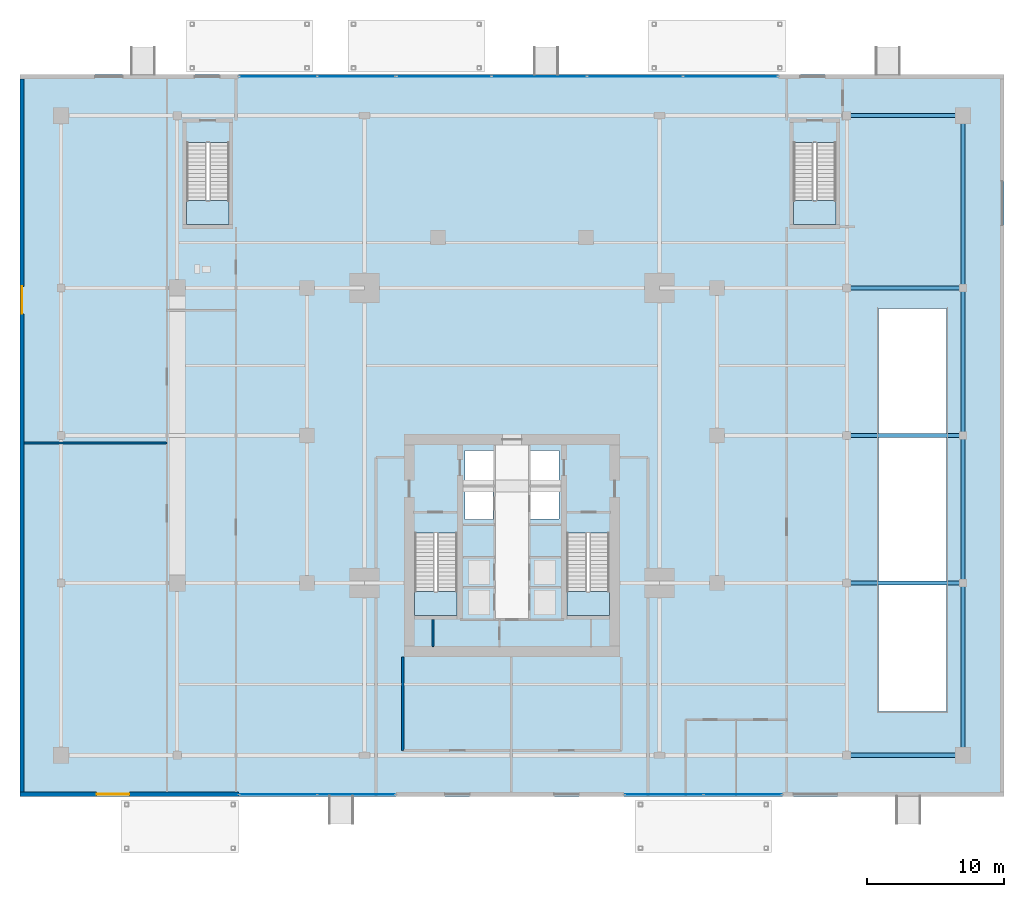
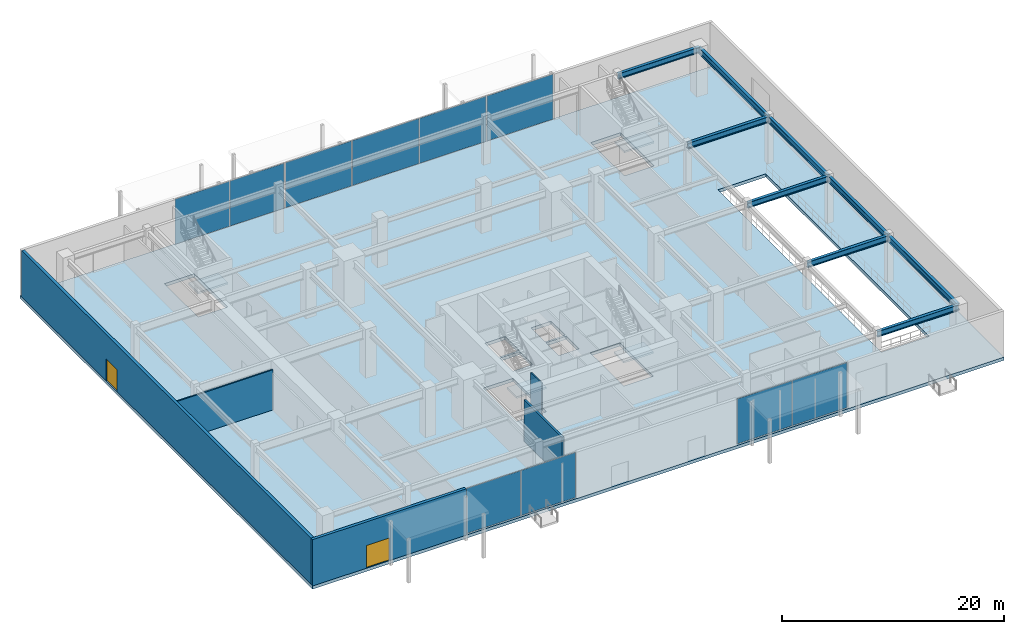
# One storey, part 18 of 28: 10 plates, 9 beams, 5 slabs, 5 walls, 2 doors, 2 openings, 8 elements without a shape of their own.
"""IFC4 building model written with IfcOpenShell, lengths in metres."""

from ifc_helpers import new_model, si_unit, direction, frame, frame_2d, origin, origin_2d, place, context, subcontext, project, spatial, polyline, rectangle, i_section, outline, extrude, source, transform, mapped, material, layer, layer_set, material_profile, profile_set, type_object, type_shapes, element, fill, aggregate, save


model = new_model("IFC4")

# Units and contexts
model_context = context("Model", 3, precision=1e-05, world=origin(), true_north=direction((0.0, 1.0)))
body_context = subcontext(model_context, "Body", "Model", "MODEL_VIEW")
ifc_project = project(units=[si_unit("LENGTHUNIT", "METRE"), si_unit("AREAUNIT", "SQUARE_METRE"), si_unit("VOLUMEUNIT", "CUBIC_METRE"), si_unit("PLANEANGLEUNIT", "RADIAN"), si_unit("MASSUNIT", "GRAM", prefix="KILO")], contexts=[model_context])

# Site, building, storey
site_placement = place(None, origin())
site = spatial("IfcSite", under=ifc_project, at=site_placement, CompositionType="ELEMENT")
building_placement = place(site_placement, origin())
building = spatial("IfcBuilding", under=site, at=building_placement, Name="Krantzveldt Concourse Tower", CompositionType="ELEMENT")
storey_placement = place(building_placement, origin())
storey = spatial("IfcBuildingStorey", under=building, at=storey_placement, Name="L00", CompositionType="ELEMENT", Elevation=0.0)

# Beams
ifc_material_1 = material(Name="Steel S355JR", Category="steel")
ifc_material_profile_1 = material_profile(ifc_material_1, i_section(OverallWidth=0.300048828125, OverallDepth=0.68994140625, WebThickness=0.014404296875, FlangeThickness=0.027099609375, FilletRadius=0.027099609375, at=origin_2d()), Name="Steel S355JR", Category="steel")
ifc_profile_set_1 = profile_set([ifc_material_profile_1], Name="Steel S355JR - HEA 700")
beam_type_1 = type_object("IfcBeamType", Name="BM-B-HEA700", PredefinedType="BEAM", material=ifc_profile_set_1)
shared_shape_1 = source(origin(), body_context, "Body", "SweptSolid", [
    extrude(i_section(OverallWidth=0.300048828125, OverallDepth=0.68994140625, WebThickness=0.014404296875, FlangeThickness=0.027099609375, FilletRadius=0.027099609375, at=origin_2d()), origin(), (0.0, 0.0, 1.0), 10.800048828125),
])
for number, where, z_axis, x_axis, name in (
    (1, (69.0, 15.89990234375, 4.7548828125), (0.0, 1.0, 0.0), (-1.0, 0.0, 0.0), "L00 Podium Primary Girder BG-OE2"),
    (2, (69.0, 26.699951171875, 4.7548828125), (0.0, 1.0, 0.0), (-1.0, 0.0, 0.0), "L00 Podium Primary Girder BG-OE3"),
):
    element("IfcBeam", number, at=place(storey_placement, frame(where, z_axis=z_axis, x_axis=x_axis)), inside=storey, type_object=beam_type_1, Name=name, PredefinedType="BEAM", context=body_context, shape_type="MappedRepresentation", body=[
        mapped(shared_shape_1, transform((0.0, 0.0, 0.0), x_axis=(1.0, 0.0, 0.0), y_axis=(0.0, 1.0, 0.0), z_axis=(0.0, 0.0, 1.0), scale=1.0)),
    ])
shared_shape_2 = source(origin(), body_context, "Body", "SweptSolid", [
    extrude(i_section(OverallWidth=0.300048828125, OverallDepth=0.68994140625, WebThickness=0.014404296875, FlangeThickness=0.027099609375, FilletRadius=0.027099609375, at=origin_2d()), origin(), (0.0, 0.0, 1.0), 12.60009765625),
])
beam_1_placement = place(storey_placement, frame((69.0, 37.5, 4.7548828125), z_axis=(0.0, 1.0, 0.0), x_axis=(-1.0, 0.0, 0.0)))
element("IfcBeam", 3, at=beam_1_placement, inside=storey, type_object=beam_type_1, Name="L00 Podium Primary Girder BG-OE4", PredefinedType="BEAM", context=body_context, shape_type="MappedRepresentation", body=[
    mapped(shared_shape_2, transform((0.0, 0.0, 0.0), x_axis=(1.0, 0.0, 0.0), y_axis=(0.0, 1.0, 0.0), z_axis=(0.0, 0.0, 1.0), scale=1.0)),
])
shared_shape_3 = source(origin(), body_context, "Body", "SweptSolid", [
    extrude(i_section(OverallWidth=0.300048828125, OverallDepth=0.68994140625, WebThickness=0.014404296875, FlangeThickness=0.027099609375, FilletRadius=0.027099609375, at=origin_2d()), origin(), (0.0, 0.0, 1.0), 12.599853515625),
])
type_shapes(beam_type_1, [shared_shape_1, shared_shape_2, shared_shape_3])
beam_2_placement = place(storey_placement, frame((69.0, 3.300048828125, 4.7548828125), z_axis=(0.0, 1.0, 0.0), x_axis=(-1.0, 0.0, 0.0)))
element("IfcBeam", 4, at=beam_2_placement, inside=storey, type_object=beam_type_1, Name="L00 Podium Primary Girder BG-OE1", PredefinedType="BEAM", context=body_context, shape_type="MappedRepresentation", body=[
    mapped(shared_shape_3, transform((0.0, 0.0, 0.0), x_axis=(1.0, 0.0, 0.0), y_axis=(0.0, 1.0, 0.0), z_axis=(0.0, 0.0, 1.0), scale=1.0)),
])
ifc_material_profile_2 = material_profile(ifc_material_1, i_section(OverallWidth=0.300048828125, OverallDepth=0.639892578125, WebThickness=0.013427734375, FlangeThickness=0.02587890625, FilletRadius=0.027099609375, at=origin_2d()), Name="Steel S355JR", Category="steel")
ifc_profile_set_2 = profile_set([ifc_material_profile_2], Name="Steel S355JR - HEA 650")
beam_type_2 = type_object("IfcBeamType", Name="BM-B-HEA650", PredefinedType="BEAM", material=ifc_profile_set_2)
shared_shape_4 = source(origin(), body_context, "Body", "SweptSolid", [
    extrude(i_section(OverallWidth=0.300048828125, OverallDepth=0.639892578125, WebThickness=0.013427734375, FlangeThickness=0.02587890625, FilletRadius=0.027099609375, at=origin_2d()), origin(), (0.0, 0.0, 1.0), 8.5),
])
type_shapes(beam_type_2, [shared_shape_4])
for number, where, z_axis, x_axis, name in (
    (5, (60.5, 3.300048828125, 4.780029296875), (1.0, 0.0, 0.0), (0.0, 1.0, 0.0), "L00 Podium Primary Girder BG-OES"),
    (6, (60.5, 50.10009765625, 4.780029296875), (1.0, 0.0, 0.0), (0.0, 1.0, 0.0), "L00 Podium Primary Girder BG-OEN"),
    (7, (60.5, 15.89990234375, 4.780029296875), (1.0, 0.0, 0.0), (0.0, 1.0, 0.0), "L00 Podium Primary Girder BG-EE1"),
    (8, (60.5, 26.699951171875, 4.780029296875), (1.0, 0.0, 0.0), (0.0, 1.0, 0.0), "L00 Podium Primary Girder BG-EE2"),
    (9, (60.5, 37.5, 4.780029296875), (1.0, 0.0, 0.0), (0.0, 1.0, 0.0), "L00 Podium Primary Girder BG-EE3"),
):
    element("IfcBeam", number, at=place(storey_placement, frame(where, z_axis=z_axis, x_axis=x_axis)), inside=storey, type_object=beam_type_2, Name=name, PredefinedType="BEAM", context=body_context, shape_type="MappedRepresentation", body=[
        mapped(shared_shape_4, transform((0.0, 0.0, 0.0), x_axis=(1.0, 0.0, 0.0), y_axis=(0.0, 1.0, 0.0), z_axis=(0.0, 0.0, 1.0), scale=1.0)),
    ])

# Stair, slab
ifc_material_2 = material(Name="Precast concrete C40/50", Category="concrete")
stair_type = type_object("IfcStairType", Name="STR-CORE-DOGLEG", PredefinedType="HALF_TURN_STAIR", material=ifc_material_2)
stair_1_placement = place(storey_placement, origin())
stair_1 = element("IfcStair", 10, at=stair_1_placement, inside=storey, type_object=stair_type, Name="L00 Protected Escape Stair ST-1", PredefinedType="HALF_TURN_STAIR")
ifc_layer_1 = layer(ifc_material_2, 0.199951171875, Name="Precast concrete C40/50", Category="concrete")
ifc_layer_set_1 = layer_set([ifc_layer_1], Name="Precast concrete C40/50 (SL-LANDING-200)")
slab_type_1 = type_object("IfcSlabType", Name="SL-LANDING-200", PredefinedType="LANDING", material=ifc_layer_set_1)
slab_1_placement = place(storey_placement, frame((0.0, 0.0, 2.5)))
slab_1 = element("IfcSlab", 11, at=slab_1_placement, type_object=slab_type_1, Name="ST-1 landing 1", PredefinedType="LANDING", context=body_context, shape_type="SweptSolid", body=[
    extrude(outline(polyline([(28.8798828125, 15.27490234375), (28.8798828125, 13.52001953125), (31.97998046875, 13.52001953125), (31.97998046875, 15.27490234375), (28.8798828125, 15.27490234375)])), origin(), (0.0, 0.0, 1.0), 0.199951171875),
])
aggregate(stair_1, [slab_1])

stair_2_placement = place(storey_placement, origin())
stair_2 = element("IfcStair", 12, at=stair_2_placement, inside=storey, type_object=stair_type, Name="L00 Protected Escape Stair ST-2", PredefinedType="HALF_TURN_STAIR")
slab_2_placement = place(storey_placement, frame((0.0, 0.0, 2.5)))
slab_2 = element("IfcSlab", 13, at=slab_2_placement, type_object=slab_type_1, Name="ST-2 landing 1", PredefinedType="LANDING", context=body_context, shape_type="SweptSolid", body=[
    extrude(outline(polyline([(40.02001953125, 15.27490234375), (40.02001953125, 13.52001953125), (43.1201171875, 13.52001953125), (43.1201171875, 15.27490234375), (40.02001953125, 15.27490234375)])), origin(), (0.0, 0.0, 1.0), 0.199951171875),
])
aggregate(stair_2, [slab_2])

stair_3_placement = place(storey_placement, origin())
stair_3 = element("IfcStair", 14, at=stair_3_placement, inside=storey, type_object=stair_type, Name="L00 Podium Escape Stair ST-3", PredefinedType="HALF_TURN_STAIR")
slab_3_placement = place(storey_placement, frame((0.0, 0.0, 2.5)))
slab_3 = element("IfcSlab", 15, at=slab_3_placement, type_object=slab_type_1, Name="ST-3 landing 1", PredefinedType="LANDING", context=body_context, shape_type="SweptSolid", body=[
    extrude(outline(polyline([(12.199951171875, 43.875), (12.199951171875, 42.1201171875), (15.300048828125, 42.1201171875), (15.300048828125, 43.875), (12.199951171875, 43.875)])), origin(), (0.0, 0.0, 1.0), 0.199951171875),
])
aggregate(stair_3, [slab_3])

stair_4_placement = place(storey_placement, origin())
stair_4 = element("IfcStair", 16, at=stair_4_placement, inside=storey, type_object=stair_type, Name="L00 Podium Escape Stair ST-4", PredefinedType="HALF_TURN_STAIR")
slab_4_placement = place(storey_placement, frame((0.0, 0.0, 2.5)))
slab_4 = element("IfcSlab", 17, at=slab_4_placement, type_object=slab_type_1, Name="ST-4 landing 1", PredefinedType="LANDING", context=body_context, shape_type="SweptSolid", body=[
    extrude(outline(polyline([(56.60009765625, 43.875), (56.60009765625, 42.1201171875), (59.699951171875, 42.1201171875), (59.699951171875, 43.875), (56.60009765625, 43.875)])), origin(), (0.0, 0.0, 1.0), 0.199951171875),
])
aggregate(stair_4, [slab_4])

# Slab
ifc_material_3 = material(Name="Concrete C50/60", Category="concrete")
ifc_layer_2 = layer(ifc_material_3, 0.35009765625, Name="Concrete C50/60", Category="concrete")
ifc_layer_set_2 = layer_set([ifc_layer_2], Name="Concrete C50/60 (SL-SL-POD350)")
slab_type_2 = type_object("IfcSlabType", Name="SL-SL-POD350", PredefinedType="FLOOR", material=ifc_layer_set_2)
slab_5_placement = place(storey_placement, frame((0.0, 0.0, -0.35009765625)))
element("IfcSlab", 18, at=slab_5_placement, inside=storey, type_object=slab_type_2, Name="SL-L00-MAIN", PredefinedType="FLOOR", context=body_context, shape_type="SweptSolid", body=[
    extrude(outline(polyline([(0.0, 0.300048828125), (72.0, 0.300048828125), (72.0, 53.10009765625), (0.0, 53.10009765625), (0.0, 0.300048828125)]), holes=[polyline([(28.8798828125, 19.547607421875), (28.8798828125, 13.52001953125), (31.97998046875, 13.52001953125), (31.97998046875, 19.547607421875), (28.8798828125, 19.547607421875)]), polyline([(40.02001953125, 19.547607421875), (40.02001953125, 13.52001953125), (43.1201171875, 13.52001953125), (43.1201171875, 19.547607421875), (40.02001953125, 19.547607421875)]), polyline([(12.199951171875, 48.1474609375), (12.199951171875, 42.1201171875), (15.300048828125, 42.1201171875), (15.300048828125, 48.1474609375), (12.199951171875, 48.1474609375)]), polyline([(56.60009765625, 48.1474609375), (56.60009765625, 42.1201171875), (59.699951171875, 42.1201171875), (59.699951171875, 48.1474609375), (56.60009765625, 48.1474609375)]), polyline([(32.550048828125, 23.10009765625), (34.64990234375, 23.10009765625), (34.64990234375, 25.60009765625), (32.550048828125, 25.60009765625), (32.550048828125, 23.10009765625)]), polyline([(37.35009765625, 23.10009765625), (39.449951171875, 23.10009765625), (39.449951171875, 25.60009765625), (37.35009765625, 25.60009765625), (37.35009765625, 23.10009765625)]), polyline([(37.35009765625, 20.60009765625), (39.449951171875, 20.60009765625), (39.449951171875, 22.89990234375), (37.35009765625, 22.89990234375), (37.35009765625, 20.60009765625)]), polyline([(32.550048828125, 20.550048828125), (34.6201171875, 20.550048828125), (34.6201171875, 22.89990234375), (32.550048828125, 22.89990234375), (32.550048828125, 20.550048828125)]), polyline([(62.800048828125, 6.5), (67.800048828125, 6.5), (67.800048828125, 36.0), (62.800048828125, 36.0), (62.800048828125, 6.5)])]), origin(), (0.0, 0.0, 1.0), 0.35009765625),
])

# Curtain wall, plates
ifc_material_4 = material(Name="Anodised aluminium 6063-T6", Category="aluminium")
curtain_wall_type = type_object("IfcCurtainWallType", Name="CW1", PredefinedType="USERDEFINED", material=ifc_material_4)
curtain_wall_1_placement = place(storey_placement, origin())
curtain_wall_1 = element("IfcCurtainWall", 19, at=curtain_wall_1_placement, inside=storey, type_object=curtain_wall_type, Name="CW-L00-NC1", ObjectType="UNITISED CURTAIN WALL", PredefinedType="USERDEFINED")
ifc_material_5 = material(Name="Bronze-tinted laminated low-E IGU glass", Category="glass")
ifc_layer_3 = layer(ifc_material_5, 0.031982421875, Name="Bronze-tinted laminated low-E IGU glass", Category="glass")
ifc_layer_set_3 = layer_set([ifc_layer_3], Name="Bronze-tinted laminated low-E IGU glass (CW-GLZ-32)")
plate_type = type_object("IfcPlateType", Name="CW-GLZ-32", PredefinedType="CURTAIN_PANEL", material=ifc_layer_set_3)
shared_shape_5 = source(origin(), body_context, "Body", "SweptSolid", [
    extrude(rectangle(XDim=5.64501953125, YDim=0.031982421875, at=origin_2d()), origin(), (0.0, 0.0, 1.0), 4.9599609375),
])
plate_1_placement = place(storey_placement, frame((24.607421875, 52.969970703125, 0.070068359375), z_axis=(0.0, 0.0, 1.0), x_axis=(-1.0, 0.0, 0.0)))
plate_1 = element("IfcPlate", 20, at=plate_1_placement, type_object=plate_type, Name="CW-POD panel 1.1", PredefinedType="CURTAIN_PANEL", context=body_context, shape_type="MappedRepresentation", body=[
    mapped(shared_shape_5, transform((0.0, 0.0, 0.0), x_axis=(1.0, 0.0, 0.0), y_axis=(0.0, 1.0, 0.0), z_axis=(0.0, 0.0, 1.0), scale=1.0)),
])
plate_2_placement = place(storey_placement, frame((18.892578125, 52.969970703125, 0.070068359375), z_axis=(0.0, 0.0, 1.0), x_axis=(-1.0, 0.0, 0.0)))
plate_2 = element("IfcPlate", 21, at=plate_2_placement, type_object=plate_type, Name="CW-POD panel 2.1", PredefinedType="CURTAIN_PANEL", context=body_context, shape_type="MappedRepresentation", body=[
    mapped(shared_shape_5, transform((0.0, 0.0, 0.0), x_axis=(1.0, 0.0, 0.0), y_axis=(0.0, 1.0, 0.0), z_axis=(0.0, 0.0, 1.0), scale=1.0)),
])
aggregate(curtain_wall_1, [plate_1, plate_2])

curtain_wall_2_placement = place(storey_placement, origin())
curtain_wall_2 = element("IfcCurtainWall", 22, at=curtain_wall_2_placement, inside=storey, type_object=curtain_wall_type, Name="CW-L00-SC1", ObjectType="UNITISED CURTAIN WALL", PredefinedType="USERDEFINED")
plate_3_placement = place(storey_placement, frame((18.892578125, 0.429931640625, 0.070068359375), z_axis=(0.0, 0.0, 1.0), x_axis=(1.0, 0.0, 0.0)))
plate_3 = element("IfcPlate", 23, at=plate_3_placement, type_object=plate_type, Name="CW-POD panel 1.1", PredefinedType="CURTAIN_PANEL", context=body_context, shape_type="MappedRepresentation", body=[
    mapped(shared_shape_5, transform((0.0, 0.0, 0.0), x_axis=(1.0, 0.0, 0.0), y_axis=(0.0, 1.0, 0.0), z_axis=(0.0, 0.0, 1.0), scale=1.0)),
])
plate_4_placement = place(storey_placement, frame((24.607421875, 0.429931640625, 0.070068359375), z_axis=(0.0, 0.0, 1.0), x_axis=(1.0, 0.0, 0.0)))
plate_4 = element("IfcPlate", 24, at=plate_4_placement, type_object=plate_type, Name="CW-POD panel 2.1", PredefinedType="CURTAIN_PANEL", context=body_context, shape_type="MappedRepresentation", body=[
    mapped(shared_shape_5, transform((0.0, 0.0, 0.0), x_axis=(1.0, 0.0, 0.0), y_axis=(0.0, 1.0, 0.0), z_axis=(0.0, 0.0, 1.0), scale=1.0)),
])
aggregate(curtain_wall_2, [plate_3, plate_4])

curtain_wall_3_placement = place(storey_placement, origin())
curtain_wall_3 = element("IfcCurtainWall", 25, at=curtain_wall_3_placement, inside=storey, type_object=curtain_wall_type, Name="CW-L00-NC2", ObjectType="UNITISED CURTAIN WALL", PredefinedType="USERDEFINED")
shared_shape_6 = source(origin(), body_context, "Body", "SweptSolid", [
    extrude(rectangle(XDim=6.89501953125, YDim=0.031982421875, at=origin_2d()), origin(), (0.0, 0.0, 1.0), 4.9599609375),
])
plate_5_placement = place(storey_placement, frame((51.982421875, 52.969970703125, 0.070068359375), z_axis=(0.0, 0.0, 1.0), x_axis=(-1.0, 0.0, 0.0)))
plate_5 = element("IfcPlate", 26, at=plate_5_placement, type_object=plate_type, Name="CW-POD panel 1.1", PredefinedType="CURTAIN_PANEL", context=body_context, shape_type="MappedRepresentation", body=[
    mapped(shared_shape_6, transform((0.0, 0.0, 0.0), x_axis=(1.0, 0.0, 0.0), y_axis=(0.0, 1.0, 0.0), z_axis=(0.0, 0.0, 1.0), scale=1.0)),
])
plate_6_placement = place(storey_placement, frame((31.017578125, 52.969970703125, 0.070068359375), z_axis=(0.0, 0.0, 1.0), x_axis=(-1.0, 0.0, 0.0)))
plate_6 = element("IfcPlate", 27, at=plate_6_placement, type_object=plate_type, Name="CW-POD panel 4.1", PredefinedType="CURTAIN_PANEL", context=body_context, shape_type="MappedRepresentation", body=[
    mapped(shared_shape_6, transform((0.0, 0.0, 0.0), x_axis=(1.0, 0.0, 0.0), y_axis=(0.0, 1.0, 0.0), z_axis=(0.0, 0.0, 1.0), scale=1.0)),
])
shared_shape_7 = source(origin(), body_context, "Body", "SweptSolid", [
    extrude(rectangle(XDim=6.929931640625, YDim=0.031982421875, at=origin_2d()), origin(), (0.0, 0.0, 1.0), 4.9599609375),
])
plate_7_placement = place(storey_placement, frame((45.0, 52.969970703125, 0.070068359375), z_axis=(0.0, 0.0, 1.0), x_axis=(-1.0, 0.0, 0.0)))
plate_7 = element("IfcPlate", 28, at=plate_7_placement, type_object=plate_type, Name="CW-POD panel 2.1", PredefinedType="CURTAIN_PANEL", context=body_context, shape_type="MappedRepresentation", body=[
    mapped(shared_shape_7, transform((0.0, 0.0, 0.0), x_axis=(1.0, 0.0, 0.0), y_axis=(0.0, 1.0, 0.0), z_axis=(0.0, 0.0, 1.0), scale=1.0)),
])
plate_8_placement = place(storey_placement, frame((38.0, 52.969970703125, 0.070068359375), z_axis=(0.0, 0.0, 1.0), x_axis=(-1.0, 0.0, 0.0)))
plate_8 = element("IfcPlate", 29, at=plate_8_placement, type_object=plate_type, Name="CW-POD panel 3.1", PredefinedType="CURTAIN_PANEL", context=body_context, shape_type="MappedRepresentation", body=[
    mapped(shared_shape_7, transform((0.0, 0.0, 0.0), x_axis=(1.0, 0.0, 0.0), y_axis=(0.0, 1.0, 0.0), z_axis=(0.0, 0.0, 1.0), scale=1.0)),
])
aggregate(curtain_wall_3, [plate_5, plate_7, plate_8, plate_6])

curtain_wall_4_placement = place(storey_placement, origin())
curtain_wall_4 = element("IfcCurtainWall", 30, at=curtain_wall_4_placement, inside=storey, type_object=curtain_wall_type, Name="CW-L00-SC2", ObjectType="UNITISED CURTAIN WALL", PredefinedType="USERDEFINED")
shared_shape_8 = source(origin(), body_context, "Body", "SweptSolid", [
    extrude(rectangle(XDim=5.695068359375, YDim=0.031982421875, at=origin_2d()), origin(), (0.0, 0.0, 1.0), 4.9599609375),
])
type_shapes(plate_type, [shared_shape_5, shared_shape_6, shared_shape_7, shared_shape_8])
plate_9_placement = place(storey_placement, frame((47.117431640625, 0.429931640625, 0.070068359375), z_axis=(0.0, 0.0, 1.0), x_axis=(1.0, 0.0, 0.0)))
plate_9 = element("IfcPlate", 31, at=plate_9_placement, type_object=plate_type, Name="CW-POD panel 1.1", PredefinedType="CURTAIN_PANEL", context=body_context, shape_type="MappedRepresentation", body=[
    mapped(shared_shape_8, transform((0.0, 0.0, 0.0), x_axis=(1.0, 0.0, 0.0), y_axis=(0.0, 1.0, 0.0), z_axis=(0.0, 0.0, 1.0), scale=1.0)),
])
plate_10_placement = place(storey_placement, frame((52.882568359375, 0.429931640625, 0.070068359375), z_axis=(0.0, 0.0, 1.0), x_axis=(1.0, 0.0, 0.0)))
plate_10 = element("IfcPlate", 32, at=plate_10_placement, type_object=plate_type, Name="CW-POD panel 2.1", PredefinedType="CURTAIN_PANEL", context=body_context, shape_type="MappedRepresentation", body=[
    mapped(shared_shape_8, transform((0.0, 0.0, 0.0), x_axis=(1.0, 0.0, 0.0), y_axis=(0.0, 1.0, 0.0), z_axis=(0.0, 0.0, 1.0), scale=1.0)),
])
aggregate(curtain_wall_4, [plate_9, plate_10])

# Wall, opening, door
ifc_material_6 = material(Name="Concrete C40/50", Category="concrete")
ifc_layer_4 = layer(ifc_material_6, 0.300048828125, Name="Concrete C40/50", Category="concrete")
ifc_layer_set_4 = layer_set([ifc_layer_4], Name="Concrete C40/50 (WL-EXT-GRAN300)")
wall_type_1 = type_object("IfcWallType", Name="WL-EXT-GRAN300", PredefinedType="SOLIDWALL", material=ifc_layer_set_4)
wall_1_placement = place(storey_placement, frame((16.0, 0.449951171875, 0.0), z_axis=(0.0, 0.0, 1.0), x_axis=(-1.0, 0.0, 0.0)))
wall_1 = element("IfcWall", 33, at=wall_1_placement, inside=storey, type_object=wall_type_1, Name="EW-L00-SW", PredefinedType="SOLIDWALL", context=body_context, shape_type="SweptSolid", body=[
    extrude(rectangle(XDim=16.0, YDim=0.300048828125, at=frame_2d((8.0, 0.0))), origin(), (0.0, 0.0, 1.0), 5.10009765625),
])
opening_1_placement = place(wall_1_placement, frame((8.0, 0.0, 0.0)))
opening_1 = element("IfcOpeningElement", 34, at=opening_1_placement, cuts=wall_1, Name="Opening D-REV1", PredefinedType="OPENING", context=body_context, shape_type="SweptSolid", body=[
    extrude(rectangle(XDim=2.39990234375, YDim=2.5, at=frame_2d((1.199951171875, 1.25))), frame((0.0, 0.16015625, 0.0), z_axis=(0.0, -1.0, 0.0), x_axis=(1.0, 0.0, 0.0)), (0.0, 0.0, 1.0), 0.320068359375),
])
door_type_1 = type_object("IfcDoorType", Name="DR-REV-2400", OperationType="REVOLVING", PredefinedType="DOOR", material=ifc_material_4)
door_1_placement = place(opening_1_placement, origin())
door_1 = element("IfcDoor", 35, at=door_1_placement, inside=storey, type_object=door_type_1, Name="DR-L00-EXS2", OperationType="REVOLVING", OverallHeight=2.5, OverallWidth=2.39990234375, PredefinedType="DOOR", context=body_context, shape_type="SweptSolid", body=[
    extrude(rectangle(XDim=2.39990234375, YDim=2.5, at=frame_2d((1.199951171875, 1.25))), frame((0.0, 0.02490234375, 0.0), z_axis=(0.0, -1.0, 0.0), x_axis=(1.0, 0.0, 0.0)), (0.0, 0.0, 1.0), 0.050048828125),
])
fill(opening_1, door_1)

wall_2_placement = place(storey_placement, frame((0.14990234375, 0.60009765625, 0.0), z_axis=(0.0, 0.0, 1.0), x_axis=(0.0, 1.0, 0.0)))
wall_2 = element("IfcWall", 36, at=wall_2_placement, inside=storey, type_object=wall_type_1, Name="EW-L00-W", PredefinedType="SOLIDWALL", context=body_context, shape_type="SweptSolid", body=[
    extrude(rectangle(XDim=52.199951171875, YDim=0.300048828125, at=frame_2d((26.10009765625, 0.0))), origin(), (0.0, 0.0, 1.0), 5.10009765625),
])
opening_2_placement = place(wall_2_placement, frame((35.0, 0.0, 0.0)))
opening_2 = element("IfcOpeningElement", 37, at=opening_2_placement, cuts=wall_2, Name="Opening D-CNC1", PredefinedType="OPENING", context=body_context, shape_type="SweptSolid", body=[
    extrude(rectangle(XDim=2.0, YDim=2.39990234375, at=frame_2d((1.0, 1.199951171875))), frame((0.0, 0.16015625, 0.0), z_axis=(0.0, -1.0, 0.0), x_axis=(1.0, 0.0, 0.0)), (0.0, 0.0, 1.0), 0.320068359375),
])
door_type_2 = type_object("IfcDoorType", Name="DR-CONC-2000", OperationType="DOUBLE_DOOR_SINGLE_SWING", PredefinedType="DOOR", material=ifc_material_4)
door_2_placement = place(opening_2_placement, origin())
door_2 = element("IfcDoor", 38, at=door_2_placement, inside=storey, type_object=door_type_2, Name="DR-L00-WRET", OperationType="DOUBLE_DOOR_SINGLE_SWING", OverallHeight=2.39990234375, OverallWidth=2.0, PredefinedType="DOOR", context=body_context, shape_type="SweptSolid", body=[
    extrude(rectangle(XDim=2.0, YDim=2.39990234375, at=frame_2d((1.0, 1.199951171875))), frame((0.0, 0.02490234375, 0.0), z_axis=(0.0, -1.0, 0.0), x_axis=(1.0, 0.0, 0.0)), (0.0, 0.0, 1.0), 0.050048828125),
])
fill(opening_2, door_2)

# Walls
ifc_material_7 = material(Name="Fire-rated gypsum plasterboard on steel stud", Category="steel")
ifc_layer_5 = layer(ifc_material_7, 0.139892578125, Name="Fire-rated gypsum plasterboard on steel stud", Category="steel")
ifc_layer_set_5 = layer_set([ifc_layer_5], Name="Fire-rated gypsum plasterboard on steel stud (WL-PART-140)")
wall_type_2 = type_object("IfcWallType", Name="WL-PART-140", PredefinedType="PARTITIONING", material=ifc_layer_set_5)
wall_3_placement = place(storey_placement, frame((0.304931640625, 26.14990234375, 0.0), z_axis=(0.0, 0.0, 1.0), x_axis=(1.0, 0.0, 0.0)))
element("IfcWall", 39, at=wall_3_placement, inside=storey, type_object=wall_type_2, Name="WP-L00-W2", PredefinedType="PARTITIONING", context=body_context, shape_type="SweptSolid", body=[
    extrude(rectangle(XDim=10.445068359375, YDim=0.139892578125, at=frame_2d((5.22265625, 0.0))), origin(), (0.0, 0.0, 1.0), 4.409912109375),
])
ifc_layer_6 = layer(ifc_material_7, 0.139892578125, Name="Fire-rated gypsum plasterboard on steel stud", Category="steel")
ifc_layer_set_6 = layer_set([ifc_layer_6], Name="Fire-rated gypsum plasterboard on steel stud (WL-PART-FR140)")
wall_type_3 = type_object("IfcWallType", Name="WL-PART-FR140", PredefinedType="PARTITIONING", material=ifc_layer_set_6)
wall_4_placement = place(storey_placement, frame((30.219970703125, 11.25, 0.0), z_axis=(0.0, 0.0, 1.0), x_axis=(0.0, 1.0, 0.0)))
element("IfcWall", 40, at=wall_4_placement, inside=storey, type_object=wall_type_3, Name="WP-L00-RSW", PredefinedType="PARTITIONING", context=body_context, shape_type="SweptSolid", body=[
    extrude(rectangle(XDim=1.969970703125, YDim=0.1201171875, at=frame_2d((0.98486328125, 0.0))), origin(), (0.0, 0.0, 1.0), 5.10009765625),
])
ifc_layer_7 = layer(ifc_material_7, 0.199951171875, Name="Fire-rated gypsum plasterboard on steel stud", Category="steel")
ifc_layer_set_7 = layer_set([ifc_layer_7], Name="Fire-rated gypsum plasterboard on steel stud (WL-PART-FR200)")
wall_type_4 = type_object("IfcWallType", Name="WL-PART-FR200", PredefinedType="PARTITIONING", material=ifc_layer_set_7)
wall_5_placement = place(storey_placement, frame((28.0, 3.64990234375, 0.0), z_axis=(0.0, 0.0, 1.0), x_axis=(0.0, 1.0, 0.0)))
element("IfcWall", 41, at=wall_5_placement, inside=storey, type_object=wall_type_4, Name="WP-L00-FCW", PredefinedType="PARTITIONING", context=body_context, shape_type="SweptSolid", body=[
    extrude(rectangle(XDim=6.85009765625, YDim=0.199951171875, at=frame_2d((3.425048828125, 0.0))), origin(), (0.0, 0.0, 1.0), 4.550048828125),
])

save(model, "model.ifc")
